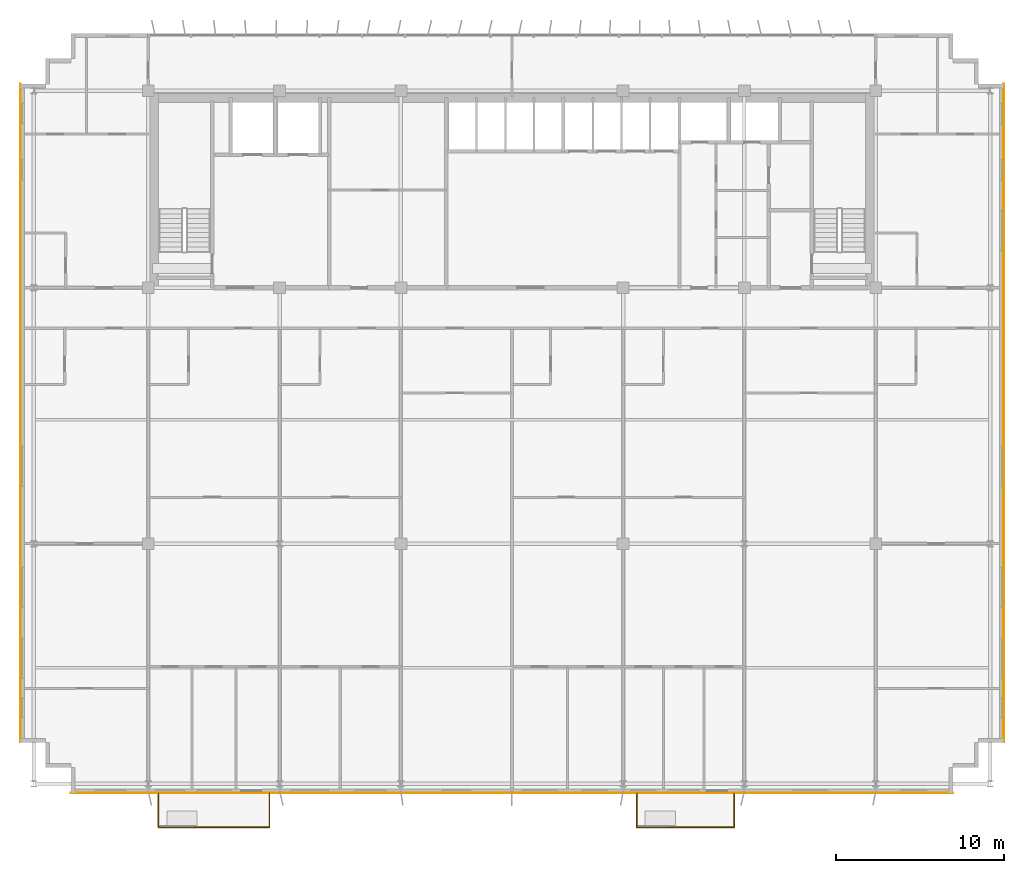
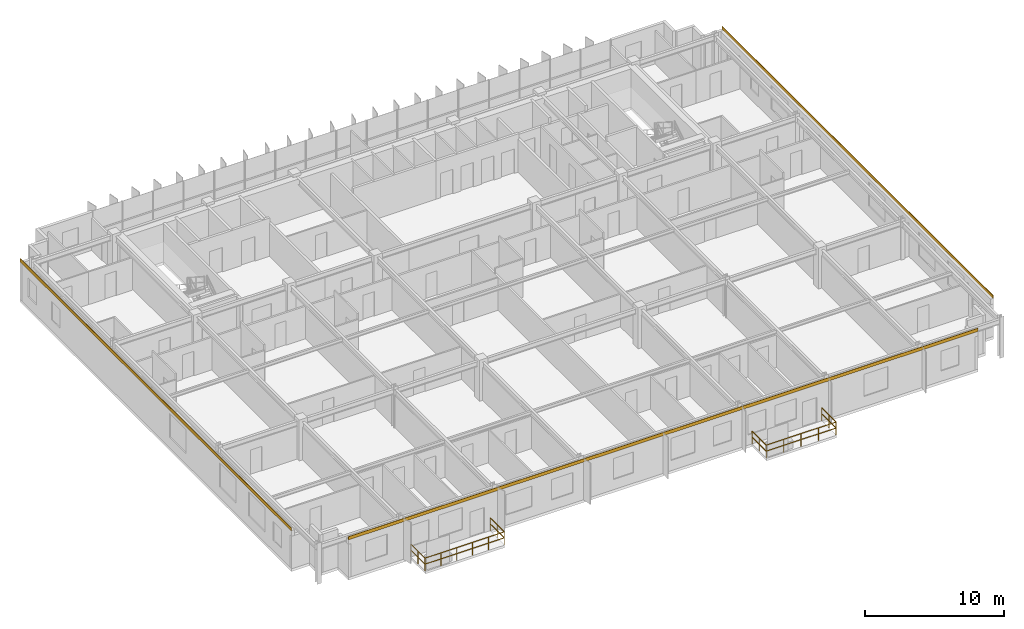
# One storey, part 22 of 23: 6 railings, 3 coverings.
"""IFC4 building model written with IfcOpenShell, lengths in metres."""

import ifcopenshell
import ifcopenshell.guid

model = None  # the IFC model being written
_history = None  # IfcOwnerHistory: only IFC2X3 demands one
_inside = {}  # id of a spatial element -> (the spatial element, [elements in it])
_under = {}  # id of a project, library or spatial element -> (it, [spatial elements below it])
_declared = {}  # id of a project -> (the project, [libraries it declares])
_typed = {}  # id of a type object -> (the type object, [elements of that type])
_made_of = {}  # id of a material, layer set ... -> (it, [elements and type objects made of it])


def new_model(schema):
    """Start an empty IFC model of exactly this schema.

    Asked for "IFC4X3", IfcOpenShell would pick the latest addendum, in which some entities
    have other attributes; the version numbers below select the first issue.
    IFC2X3 requires an IfcOwnerHistory on every rooted entity: one is made here for all.
    """
    global model, _history
    if schema == "IFC4X3":
        model = ifcopenshell.file(schema_version=(4, 3, 0, 0))
    else:
        model = ifcopenshell.file(schema=schema)
    _inside.clear()
    _under.clear()
    _declared.clear()
    _typed.clear()
    _made_of.clear()
    _history = None
    if model.schema == "IFC2X3":
        org = make("IfcOrganization", Name="unknown")
        user = make(
            "IfcPersonAndOrganization",
            ThePerson=make("IfcPerson", FamilyName="unknown"),
            TheOrganization=org,
        )
        app = make(
            "IfcApplication",
            ApplicationDeveloper=org,
            Version="unknown",
            ApplicationFullName="unknown",
            ApplicationIdentifier="unknown",
        )
        _history = make(
            "IfcOwnerHistory",
            OwningUser=user,
            OwningApplication=app,
            ChangeAction="ADDED",
            CreationDate=0,
        )
    return model


def make(cls, **values):
    """One entity of the class cls with the attributes given. An attribute that is None is left unset."""
    return model.create_entity(
        cls, **{name: value for name, value in values.items() if value is not None}
    )


def rooted(cls, **values):
    """An entity with a GlobalId (a new one), such as an element, a storey or a relation."""
    return make(cls, GlobalId=ifcopenshell.guid.new(), OwnerHistory=_history, **values)


def si_unit(unit_type, name, prefix=None):
    """IfcSIUnit, for example si_unit("LENGTHUNIT", "METRE", prefix="MILLI")."""
    return make("IfcSIUnit", UnitType=unit_type, Prefix=prefix, Name=name)


def assignment(units):
    """IfcUnitAssignment: the units of a project."""
    return None if units is None else make("IfcUnitAssignment", Units=units)


def point(xyz):
    """IfcCartesianPoint."""
    return None if xyz is None else make("IfcCartesianPoint", Coordinates=xyz)


def direction(xyz):
    """IfcDirection."""
    return None if xyz is None else make("IfcDirection", DirectionRatios=xyz)


def frame(location, z_axis=None, x_axis=None):
    """IfcAxis2Placement3D, a coordinate frame: its origin and axes. An axis left out is left unset."""
    return make(
        "IfcAxis2Placement3D",
        Location=point(location),
        Axis=direction(z_axis),
        RefDirection=direction(x_axis),
    )


def frame_2d(location, x_axis=None):
    """IfcAxis2Placement2D, a coordinate frame in the plane: its origin and x axis."""
    return make(
        "IfcAxis2Placement2D", Location=point(location), RefDirection=direction(x_axis)
    )


def origin():
    """The frame at (0, 0, 0) with its axes left unset."""
    return frame((0.0, 0.0, 0.0))


def origin_2d():
    """The frame at (0, 0) in the plane with its x axis left unset."""
    return frame_2d((0.0, 0.0))


def place(relative_to, where):
    """IfcLocalPlacement: puts the frame where relative to a parent placement (None: the world)."""
    return make(
        "IfcLocalPlacement", PlacementRelTo=relative_to, RelativePlacement=where
    )


def context(
    kind, dimensions, precision=None, world=None, true_north=None, identifier=None
):
    """IfcGeometricRepresentationContext, for example the 3D "Model" context."""
    return make(
        "IfcGeometricRepresentationContext",
        ContextIdentifier=identifier,
        ContextType=kind,
        CoordinateSpaceDimension=dimensions,
        Precision=precision,
        WorldCoordinateSystem=world,
        TrueNorth=true_north,
    )


def subcontext(parent, identifier, kind, view, scale=None):
    """IfcGeometricRepresentationSubContext, for example "Body" below "Model"."""
    return make(
        "IfcGeometricRepresentationSubContext",
        ContextIdentifier=identifier,
        ContextType=kind,
        ParentContext=parent,
        TargetScale=scale,
        TargetView=view,
    )


def project(units=None, contexts=None):
    """IfcProject with its units and contexts."""
    return rooted(
        "IfcProject",
        Name="project",
        RepresentationContexts=contexts,
        UnitsInContext=assignment(units),
    )


def spatial(cls, under=None, at=None, **own):
    """A site, building, storey or space (cls), placed at a placement, below another one or the project."""
    s = rooted(cls, ObjectPlacement=at, **own)
    if under is not None:
        _under.setdefault(under.id(), (under, []))[1].append(s)
    return s


def profile(cls, at=None, kind="AREA", **sizes):
    """A parametric profile (cls). Its sizes go by their IFC names, for example OverallWidth=200.0."""
    return make(cls, ProfileType=kind, Position=at, **sizes)


def rectangle(**sizes):
    """IfcRectangleProfileDef."""
    return profile("IfcRectangleProfileDef", **sizes)


def extrude(swept, where, along, depth):
    """IfcExtrudedAreaSolid: the profile swept, set in the frame where, extruded along a direction by depth."""
    return make(
        "IfcExtrudedAreaSolid",
        SweptArea=swept,
        Position=where,
        ExtrudedDirection=direction(along),
        Depth=depth,
    )


def shape(context_of_items, identifier, shape_type, items):
    """IfcShapeRepresentation: the items that make up one representation, for example the "Body"."""
    return make(
        "IfcShapeRepresentation",
        ContextOfItems=context_of_items,
        RepresentationIdentifier=identifier,
        RepresentationType=shape_type,
        Items=items,
    )


def source(mapping_origin, context_of_items, identifier, shape_type, items):
    """IfcRepresentationMap: a shape defined once, which mapped items show again and again."""
    return make(
        "IfcRepresentationMap",
        MappingOrigin=mapping_origin,
        MappedRepresentation=shape(context_of_items, identifier, shape_type, items),
    )


def transform(
    local_origin,
    x_axis=None,
    y_axis=None,
    z_axis=None,
    scale=None,
    scale2=None,
    scale3=None,
    uniform=True,
):
    """IfcCartesianTransformationOperator3D, or its non-uniform kind. x_axis, y_axis, z_axis: its Axis1, 2, 3."""
    if uniform:
        return make(
            "IfcCartesianTransformationOperator3D",
            Axis1=direction(x_axis),
            Axis2=direction(y_axis),
            LocalOrigin=point(local_origin),
            Scale=scale,
            Axis3=direction(z_axis),
        )
    return make(
        "IfcCartesianTransformationOperator3DnonUniform",
        Axis1=direction(x_axis),
        Axis2=direction(y_axis),
        LocalOrigin=point(local_origin),
        Scale=scale,
        Axis3=direction(z_axis),
        Scale2=scale2,
        Scale3=scale3,
    )


def mapped(mapping_source, mapping_target):
    """IfcMappedItem: shows the shape of a source again, moved by a transform."""
    return make(
        "IfcMappedItem", MappingSource=mapping_source, MappingTarget=mapping_target
    )


def material(Name=None, Category=None):
    """IfcMaterial."""
    return make("IfcMaterial", Name=Name, Category=Category)


def layer(
    of_material, thickness, ventilated=None, Name=None, Category=None, Priority=None
):
    """IfcMaterialLayer: one layer of a wall or slab, of a material (None: an air gap)."""
    return make(
        "IfcMaterialLayer",
        Material=of_material,
        LayerThickness=thickness,
        IsVentilated=ventilated,
        Name=Name,
        Category=Category,
        Priority=Priority,
    )


def layer_set(layers, Name=None):
    """IfcMaterialLayerSet."""
    return make("IfcMaterialLayerSet", MaterialLayers=layers, LayerSetName=Name)


def made_of(thing, what):
    """Note that an element or type object is made of a material, layer set ...; save() writes the relation."""
    if what is not None:
        _made_of.setdefault(what.id(), (what, []))[1].append(thing)
    return thing


def type_object(cls, material=None, **own):
    """A type object (cls), such as IfcWallType, which elements share."""
    return made_of(rooted(cls, **own), material)


def element(
    cls,
    number,
    at=None,
    inside=None,
    cuts=None,
    type_object=None,
    material=None,
    context=None,
    identifier="Body",
    shape_type=None,
    held_by="IfcProductDefinitionShape",
    body=None,
    shapes=None,
    **own,
):
    """One element of the class cls, such as IfcWall. Its Tag is "e" and its number.

    at: its placement. inside: the storey or other place that contains it. cuts: it is an
    opening in that element (IfcRelVoidsElement). A single representation is given by context,
    identifier, shape_type and body (its items); several are given by shapes. held_by: the class
    of the entity that holds the representations. save() writes the other relations.
    """
    e = rooted(cls, Tag="e%d" % number, ObjectPlacement=at, **own)
    if body is not None:
        shapes = [shape(context, identifier, shape_type, body)]
    if shapes is not None:
        e.Representation = make(held_by, Representations=shapes)
    if inside is not None:
        _inside.setdefault(inside.id(), (inside, []))[1].append(e)
    if cuts is not None:
        rooted(
            "IfcRelVoidsElement", RelatingBuildingElement=cuts, RelatedOpeningElement=e
        )
    if type_object is not None:
        _typed.setdefault(type_object.id(), (type_object, []))[1].append(e)
    return made_of(e, material)


def aggregate(whole, parts):
    """IfcRelAggregates: a whole, such as a stair, and the parts it consists of."""
    return rooted("IfcRelAggregates", RelatingObject=whole, RelatedObjects=parts)


def save(model, path):
    """Write the relations noted so far, then the file.

    IfcRelAggregates (storeys below a building ...), IfcRelContainedInSpatialStructure (elements
    in a storey), IfcRelDefinesByType, IfcRelAssociatesMaterial and IfcRelDeclares: one each for
    every whole, place, type object, material and project.
    """
    for whole, parts in _under.values():
        aggregate(whole, parts)
    for where, things in _inside.values():
        rooted(
            "IfcRelContainedInSpatialStructure",
            RelatedElements=things,
            RelatingStructure=where,
        )
    for kind, things in _typed.values():
        rooted("IfcRelDefinesByType", RelatedObjects=things, RelatingType=kind)
    for what, things in _made_of.values():
        rooted("IfcRelAssociatesMaterial", RelatedObjects=things, RelatingMaterial=what)
    for by, libraries in _declared.values():
        rooted("IfcRelDeclares", RelatingContext=by, RelatedDefinitions=libraries)
    model.write(path)


model = new_model("IFC4")

# Units and contexts
model_context = context("Model", 3, precision=1e-05, world=origin(), true_north=direction((0.0, 1.0)))
body_context = subcontext(model_context, "Body", "Model", "MODEL_VIEW")
ifc_project = project(units=[si_unit("LENGTHUNIT", "METRE"), si_unit("AREAUNIT", "SQUARE_METRE"), si_unit("VOLUMEUNIT", "CUBIC_METRE"), si_unit("PLANEANGLEUNIT", "RADIAN"), si_unit("MASSUNIT", "GRAM", prefix="KILO")], contexts=[model_context])

# Site, building, storey
site_placement = place(None, origin())
site = spatial("IfcSite", under=ifc_project, at=site_placement, CompositionType="ELEMENT")
building_placement = place(site_placement, origin())
building = spatial("IfcBuilding", under=site, at=building_placement, Name="Trelvane Seafront Commons", CompositionType="ELEMENT")
storey_placement = place(building_placement, frame((0.0, 0.0, 219.300048828125)))
storey = spatial("IfcBuildingStorey", under=building, at=storey_placement, Name="L57", CompositionType="ELEMENT", Elevation=219.300048828125)

# Railings
ifc_material_1 = material(Name="Stainless steel balustrade", Category="steel")
railing_type = type_object("IfcRailingType", Name="ARCH-RAIL-BAL1150", PredefinedType="BALUSTRADE", material=ifc_material_1)
railing_1_placement = place(storey_placement, frame((16.199951171875, 3.39990234375, 0.0)))
element("IfcRailing", 1, at=railing_1_placement, inside=storey, type_object=railing_type, Name="RL-L57-BAL0-01", PredefinedType="BALUSTRADE", context=body_context, shape_type="SweptSolid", body=[
    extrude(rectangle(XDim=0.048095703125, YDim=0.048095703125, at=origin_2d()), frame((0.0, 0.0, 1.1259765625), z_axis=(0.0, -1.0, 0.0), x_axis=(1.0, 0.0, 0.0)), (0.0, 0.0, 1.0), 2.039794921875),
    extrude(rectangle(XDim=0.048095703125, YDim=0.048095703125, at=origin_2d()), frame((0.0, 0.0, 0.597900390625), z_axis=(0.0, -1.0, 0.0), x_axis=(1.0, 0.0, 0.0)), (0.0, 0.0, 1.0), 2.039794921875),
    extrude(rectangle(XDim=0.0419921875, YDim=0.0419921875, at=origin_2d()), origin(), (0.0, 0.0, 1.0), 1.1259765625),
    extrude(rectangle(XDim=0.0419921875, YDim=0.0419921875, at=origin_2d()), frame((0.0, -1.02001953125, 0.0)), (0.0, 0.0, 1.0), 1.1259765625),
    extrude(rectangle(XDim=0.0419921875, YDim=0.0419921875, at=origin_2d()), frame((0.0, -2.039794921875, 0.0)), (0.0, 0.0, 1.0), 1.1259765625),
])
railing_2_placement = place(storey_placement, frame((16.199951171875, 1.360107421875, 0.0)))
element("IfcRailing", 2, at=railing_2_placement, inside=storey, type_object=railing_type, Name="RL-L57-BAL0-02", PredefinedType="BALUSTRADE", context=body_context, shape_type="SweptSolid", body=[
    extrude(rectangle(XDim=0.048095703125, YDim=0.048095703125, at=origin_2d()), frame((0.0, 0.0, 1.1259765625), z_axis=(1.0, 0.0, 0.0), x_axis=(0.0, 1.0, 0.0)), (0.0, 0.0, 1.0), 6.60009765625),
    extrude(rectangle(XDim=0.048095703125, YDim=0.048095703125, at=origin_2d()), frame((0.0, 0.0, 0.597900390625), z_axis=(1.0, 0.0, 0.0), x_axis=(0.0, 1.0, 0.0)), (0.0, 0.0, 1.0), 6.60009765625),
    extrude(rectangle(XDim=0.0419921875, YDim=0.0419921875, at=origin_2d()), origin(), (0.0, 0.0, 1.0), 1.1259765625),
    extrude(rectangle(XDim=0.0419921875, YDim=0.0419921875, at=origin_2d()), frame((1.320068359375, 0.0, 0.0)), (0.0, 0.0, 1.0), 1.1259765625),
    extrude(rectangle(XDim=0.0419921875, YDim=0.0419921875, at=origin_2d()), frame((2.64013671875, 0.0, 0.0)), (0.0, 0.0, 1.0), 1.1259765625),
    extrude(rectangle(XDim=0.0419921875, YDim=0.0419921875, at=origin_2d()), frame((3.9599609375, 0.0, 0.0)), (0.0, 0.0, 1.0), 1.1259765625),
    extrude(rectangle(XDim=0.0419921875, YDim=0.0419921875, at=origin_2d()), frame((5.280029296875, 0.0, 0.0)), (0.0, 0.0, 1.0), 1.1259765625),
    extrude(rectangle(XDim=0.0419921875, YDim=0.0419921875, at=origin_2d()), frame((6.60009765625, 0.0, 0.0)), (0.0, 0.0, 1.0), 1.1259765625),
])
railing_3_placement = place(storey_placement, frame((22.800048828125, 1.360107421875, 0.0)))
element("IfcRailing", 3, at=railing_3_placement, inside=storey, type_object=railing_type, Name="RL-L57-BAL0-03", PredefinedType="BALUSTRADE", context=body_context, shape_type="SweptSolid", body=[
    extrude(rectangle(XDim=0.048095703125, YDim=0.048095703125, at=origin_2d()), frame((0.0, 0.0, 1.1259765625), z_axis=(0.0, 1.0, 0.0), x_axis=(-1.0, 0.0, 0.0)), (0.0, 0.0, 1.0), 2.039794921875),
    extrude(rectangle(XDim=0.048095703125, YDim=0.048095703125, at=origin_2d()), frame((0.0, 0.0, 0.597900390625), z_axis=(0.0, 1.0, 0.0), x_axis=(-1.0, 0.0, 0.0)), (0.0, 0.0, 1.0), 2.039794921875),
    extrude(rectangle(XDim=0.0419921875, YDim=0.0419921875, at=origin_2d()), origin(), (0.0, 0.0, 1.0), 1.1259765625),
    extrude(rectangle(XDim=0.0419921875, YDim=0.0419921875, at=origin_2d()), frame((0.0, 1.02001953125, 0.0)), (0.0, 0.0, 1.0), 1.1259765625),
    extrude(rectangle(XDim=0.0419921875, YDim=0.0419921875, at=origin_2d()), frame((0.0, 2.039794921875, 0.0)), (0.0, 0.0, 1.0), 1.1259765625),
])
railing_4_placement = place(storey_placement, frame((44.60009765625, 3.39990234375, 0.0)))
element("IfcRailing", 4, at=railing_4_placement, inside=storey, type_object=railing_type, Name="RL-L57-BAL1-01", PredefinedType="BALUSTRADE", context=body_context, shape_type="SweptSolid", body=[
    extrude(rectangle(XDim=0.048095703125, YDim=0.048095703125, at=origin_2d()), frame((0.0, 0.0, 1.1259765625), z_axis=(0.0, -1.0, 0.0), x_axis=(1.0, 0.0, 0.0)), (0.0, 0.0, 1.0), 2.039794921875),
    extrude(rectangle(XDim=0.048095703125, YDim=0.048095703125, at=origin_2d()), frame((0.0, 0.0, 0.597900390625), z_axis=(0.0, -1.0, 0.0), x_axis=(1.0, 0.0, 0.0)), (0.0, 0.0, 1.0), 2.039794921875),
    extrude(rectangle(XDim=0.0419921875, YDim=0.0419921875, at=origin_2d()), origin(), (0.0, 0.0, 1.0), 1.1259765625),
    extrude(rectangle(XDim=0.0419921875, YDim=0.0419921875, at=origin_2d()), frame((0.0, -1.02001953125, 0.0)), (0.0, 0.0, 1.0), 1.1259765625),
    extrude(rectangle(XDim=0.0419921875, YDim=0.0419921875, at=origin_2d()), frame((0.0, -2.039794921875, 0.0)), (0.0, 0.0, 1.0), 1.1259765625),
])
railing_5_placement = place(storey_placement, frame((44.60009765625, 1.360107421875, 0.0)))
element("IfcRailing", 5, at=railing_5_placement, inside=storey, type_object=railing_type, Name="RL-L57-BAL1-02", PredefinedType="BALUSTRADE", context=body_context, shape_type="SweptSolid", body=[
    extrude(rectangle(XDim=0.048095703125, YDim=0.048095703125, at=origin_2d()), frame((0.0, 0.0, 1.1259765625), z_axis=(1.0, 0.0, 0.0), x_axis=(0.0, 1.0, 0.0)), (0.0, 0.0, 1.0), 5.7998046875),
    extrude(rectangle(XDim=0.048095703125, YDim=0.048095703125, at=origin_2d()), frame((0.0, 0.0, 0.597900390625), z_axis=(1.0, 0.0, 0.0), x_axis=(0.0, 1.0, 0.0)), (0.0, 0.0, 1.0), 5.7998046875),
    extrude(rectangle(XDim=0.0419921875, YDim=0.0419921875, at=origin_2d()), origin(), (0.0, 0.0, 1.0), 1.1259765625),
    extrude(rectangle(XDim=0.0419921875, YDim=0.0419921875, at=origin_2d()), frame((1.449951171875, 0.0, 0.0)), (0.0, 0.0, 1.0), 1.1259765625),
    extrude(rectangle(XDim=0.0419921875, YDim=0.0419921875, at=origin_2d()), frame((2.89990234375, 0.0, 0.0)), (0.0, 0.0, 1.0), 1.1259765625),
    extrude(rectangle(XDim=0.0419921875, YDim=0.0419921875, at=origin_2d()), frame((4.349853515625, 0.0, 0.0)), (0.0, 0.0, 1.0), 1.1259765625),
    extrude(rectangle(XDim=0.0419921875, YDim=0.0419921875, at=origin_2d()), frame((5.7998046875, 0.0, 0.0)), (0.0, 0.0, 1.0), 1.1259765625),
])
railing_6_placement = place(storey_placement, frame((50.39990234375, 1.360107421875, 0.0)))
element("IfcRailing", 6, at=railing_6_placement, inside=storey, type_object=railing_type, Name="RL-L57-BAL1-03", PredefinedType="BALUSTRADE", context=body_context, shape_type="SweptSolid", body=[
    extrude(rectangle(XDim=0.048095703125, YDim=0.048095703125, at=origin_2d()), frame((0.0, 0.0, 1.1259765625), z_axis=(0.0, 1.0, 0.0), x_axis=(-1.0, 0.0, 0.0)), (0.0, 0.0, 1.0), 2.039794921875),
    extrude(rectangle(XDim=0.048095703125, YDim=0.048095703125, at=origin_2d()), frame((0.0, 0.0, 0.597900390625), z_axis=(0.0, 1.0, 0.0), x_axis=(-1.0, 0.0, 0.0)), (0.0, 0.0, 1.0), 2.039794921875),
    extrude(rectangle(XDim=0.0419921875, YDim=0.0419921875, at=origin_2d()), origin(), (0.0, 0.0, 1.0), 1.1259765625),
    extrude(rectangle(XDim=0.0419921875, YDim=0.0419921875, at=origin_2d()), frame((0.0, 1.02001953125, 0.0)), (0.0, 0.0, 1.0), 1.1259765625),
    extrude(rectangle(XDim=0.0419921875, YDim=0.0419921875, at=origin_2d()), frame((0.0, 2.039794921875, 0.0)), (0.0, 0.0, 1.0), 1.1259765625),
])

# Coverings
ifc_material_2 = material(Name="Anodised pale-silver aluminium", Category="aluminium")
ifc_layer = layer(ifc_material_2, 0.034912109375, Name="ARCH-COV-CLAD35")
ifc_layer_set = layer_set([ifc_layer], Name="Anodised pale-silver aluminium")
covering_type = type_object("IfcCoveringType", Name="ARCH-COV-CLAD35", PredefinedType="CLADDING", material=ifc_layer_set)
shared_shape_1 = source(origin(), body_context, "Body", "SweptSolid", [
    extrude(rectangle(XDim=39.10009765625, YDim=0.034912109375, at=origin_2d()), origin(), (0.0, 0.0, 1.0), 0.280029296875),
])
for number, where, z_axis, x_axis, name in (
    (7, (8.0, 25.949951171875, 3.31982421875), (0.0, 0.0, 1.0), (0.0, 1.0, 0.0), "CLD-L57-00235"),
    (8, (66.39990234375, 25.949951171875, 3.31982421875), (0.0, 0.0, 1.0), (0.0, -1.0, 0.0), "CLD-L57-00236"),
):
    element("IfcCovering", number, at=place(storey_placement, frame(where, z_axis=z_axis, x_axis=x_axis)), inside=storey, type_object=covering_type, Name=name, PredefinedType="CLADDING", context=body_context, shape_type="MappedRepresentation", body=[
        mapped(shared_shape_1, transform((0.0, 0.0, 0.0), x_axis=(1.0, 0.0, 0.0), y_axis=(0.0, 1.0, 0.0), z_axis=(0.0, 0.0, 1.0), scale=1.0)),
    ])
shared_shape_2 = source(origin(), body_context, "Body", "SweptSolid", [
    extrude(rectangle(XDim=52.39990234375, YDim=0.034912109375, at=origin_2d()), origin(), (0.0, 0.0, 1.0), 0.280029296875),
])
covering_placement = place(storey_placement, frame((37.199951171875, 3.39990234375, 3.31982421875), z_axis=(0.0, 0.0, 1.0), x_axis=(-1.0, 0.0, 0.0)))
element("IfcCovering", 9, at=covering_placement, inside=storey, type_object=covering_type, Name="CLD-L57-00237", PredefinedType="CLADDING", context=body_context, shape_type="MappedRepresentation", body=[
    mapped(shared_shape_2, transform((0.0, 0.0, 0.0), x_axis=(1.0, 0.0, 0.0), y_axis=(0.0, 1.0, 0.0), z_axis=(0.0, 0.0, 1.0), scale=1.0)),
])

save(model, "model.ifc")
